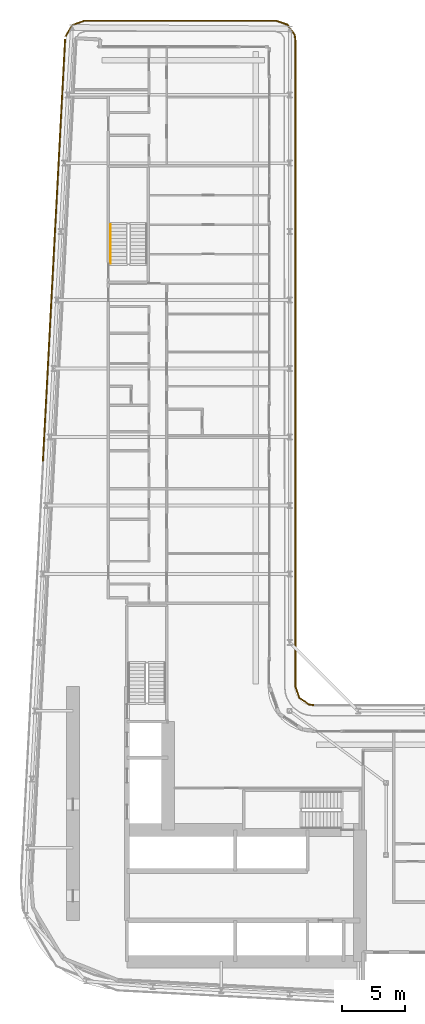
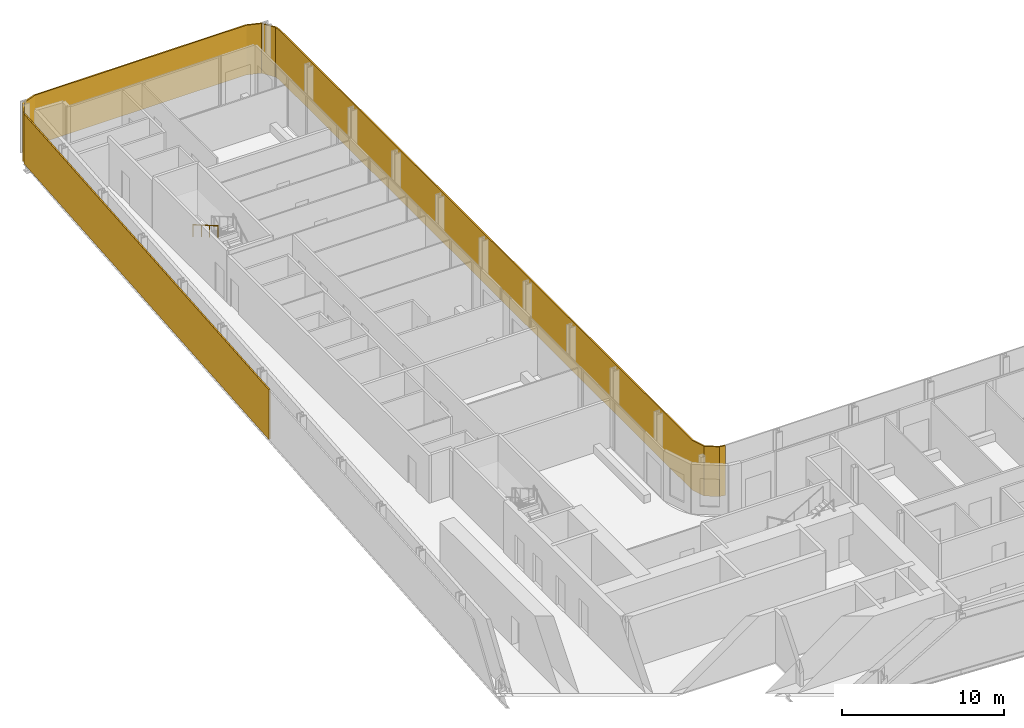
# One storey, part 25 of 27: 2 shading devices, 1 railing.
"""IFC4 building model written with IfcOpenShell, lengths in metres."""

from ifc_helpers import new_model, si_unit, direction, frame, origin, origin_2d, place, context, subcontext, project, spatial, polyline, rectangle, circle, outline, extrude, material, layer, layer_set, type_object, element, save


model = new_model("IFC4")

# Units and contexts
model_context = context("Model", 3, precision=1e-05, world=origin(), true_north=direction((0.0, 1.0)))
body_context = subcontext(model_context, "Body", "Model", "MODEL_VIEW")
ifc_project = project(units=[si_unit("LENGTHUNIT", "METRE"), si_unit("AREAUNIT", "SQUARE_METRE"), si_unit("VOLUMEUNIT", "CUBIC_METRE"), si_unit("PLANEANGLEUNIT", "RADIAN"), si_unit("MASSUNIT", "GRAM", prefix="KILO")], contexts=[model_context])

# Site, building, storey
site_placement = place(None, origin())
site = spatial("IfcSite", under=ifc_project, at=site_placement, CompositionType="ELEMENT")
building_placement = place(site_placement, origin())
building = spatial("IfcBuilding", under=site, at=building_placement, Name="Kheshtan School and Residences Tower", CompositionType="ELEMENT")
storey_placement = place(building_placement, frame((0.0, 0.0, 50.0)))
storey = spatial("IfcBuildingStorey", under=building, at=storey_placement, Name="L11", CompositionType="ELEMENT", Elevation=50.0)

# Shading devices
ifc_material_1 = material(Name="Terracotta baguette, extruded ceramic", Category="masonry")
ifc_layer_1 = layer(ifc_material_1, 0.10009765625)
ifc_layer_set_1 = layer_set([ifc_layer_1], Name="Ledge screen, terracotta baguettes")
shading_device_type_1 = type_object("IfcShadingDeviceType", Name="Ledge screen, terracotta baguettes", PredefinedType="USERDEFINED", material=ifc_layer_set_1)
shading_device_1_placement = place(storey_placement, frame((28.9990234375, 81.93408203125, 0.0), z_axis=(0.0, 0.0, 1.0), x_axis=(0.052562536748, 0.998617634398, 0.0)))
element("IfcShadingDevice", 1, at=shading_device_1_placement, inside=storey, type_object=shading_device_type_1, Name="Screen L11 5", ObjectType="BAGUETTE", PredefinedType="USERDEFINED", context=body_context, shape_type="SweptSolid", body=[
    extrude(rectangle(XDim=33.341064453125, YDim=0.10009765625, at=origin_2d()), origin(), (0.0, 0.0, 1.0), 3.75),
])
ifc_material_2 = material(Name="Terracotta lattice, extruded ceramic", Category="masonry")
ifc_layer_2 = layer(ifc_material_2, 0.10009765625)
ifc_layer_set_2 = layer_set([ifc_layer_2], Name="Loggia screen, terracotta lattice")
shading_device_type_2 = type_object("IfcShadingDeviceType", Name="Loggia screen, terracotta lattice", PredefinedType="USERDEFINED", material=ifc_layer_set_2)
shading_device_2_placement = place(storey_placement, origin())
element("IfcShadingDevice", 2, at=shading_device_2_placement, inside=storey, type_object=shading_device_type_2, Name="Screen L11 1", ObjectType="SCREEN", PredefinedType="USERDEFINED", context=body_context, shape_type="SweptSolid", body=[
    extrude(outline(polyline([(29.949951171875, 98.783935546875), (30.468017578125, 99.656982421875), (31.423095703125, 100.0), (46.5, 100.0), (47.4130859375, 99.68994140625), (47.948974609375, 98.887939453125), (48.0, 98.5), (48.0, 47.5), (48.31005859375, 46.5869140625), (49.112060546875, 46.051025390625), (49.5, 46.0), (49.512939453125, 46.09912109375), (49.14794921875, 46.14697265625), (48.39404296875, 46.65087890625), (48.10009765625, 47.51708984375), (48.10009765625, 98.507080078125), (48.044921875, 98.924072265625), (47.47705078125, 99.77392578125), (46.51708984375, 100.10009765625), (31.406005859375, 100.10009765625), (30.39990234375, 99.739013671875), (29.864013671875, 98.8349609375), (29.949951171875, 98.783935546875)])), origin(), (0.0, 0.0, 1.0), 3.75),
])

# Railing
ifc_material_3 = material(Name="Stainless steel handrail", Category="steel")
railing_type = type_object("IfcRailingType", Name="Stair handrail 900", PredefinedType="HANDRAIL", material=ifc_material_3)
railing_placement = place(storey_placement, frame((33.449951171875, 83.97998046875, 2.112548828125)))
element("IfcRailing", 3, at=railing_placement, inside=storey, type_object=railing_type, Name="L11 ST3 stair handrail 2", PredefinedType="HANDRAIL", context=body_context, shape_type="SweptSolid", body=[
    extrude(circle(Radius=0.02392578125, at=origin_2d()), frame((0.0, 0.0, 0.8759765625), z_axis=(0.0, -0.864920483161, 0.501908913857), x_axis=(1.0, 0.0, 0.0)), (0.0, 0.0, 1.0), 3.56103515625),
    extrude(circle(Radius=0.02099609375, at=origin_2d()), origin(), (0.0, 0.0, 1.0), 0.851806640625),
    extrude(circle(Radius=0.02099609375, at=origin_2d()), frame((0.0, -1.026611328125, 0.595703125)), (0.0, 0.0, 1.0), 0.851806640625),
    extrude(circle(Radius=0.02099609375, at=origin_2d()), frame((0.0, -2.053466796875, 1.191650390625)), (0.0, 0.0, 1.0), 0.851806640625),
    extrude(circle(Radius=0.02099609375, at=origin_2d()), frame((0.0, -3.080078125, 1.787353515625)), (0.0, 0.0, 1.0), 0.851806640625),
])

save(model, "model.ifc")
